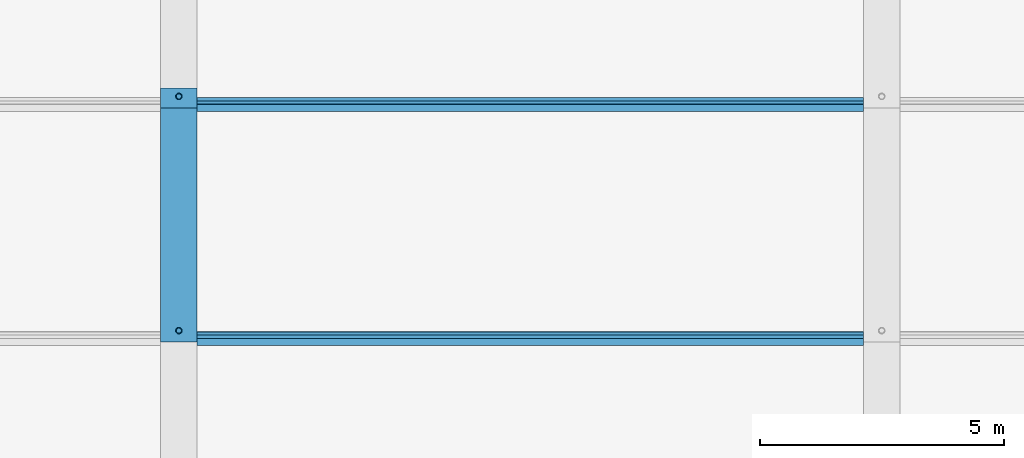
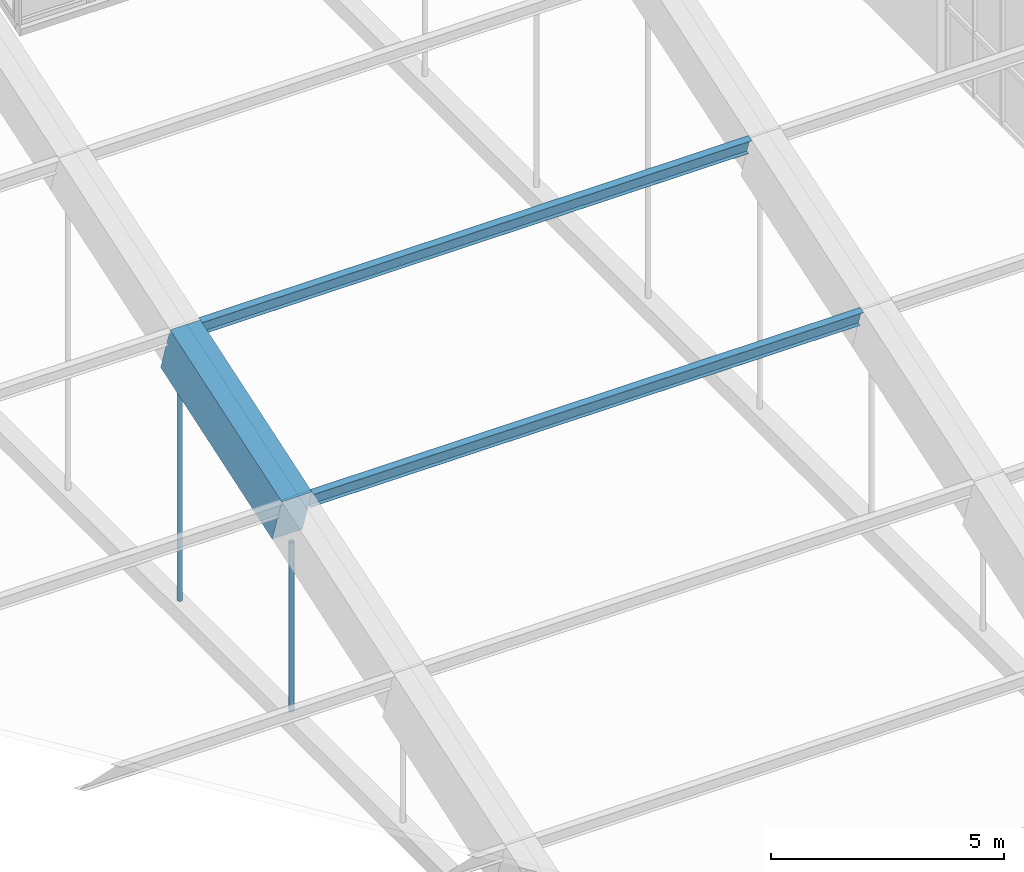
# One storey, part 24 of 149: 4 members, 1 beam.
"""IFC4 building model written with IfcOpenShell, lengths in metres."""

from ifc_helpers import new_model, si_unit, direction, frame, origin, origin_2d, place, context, subcontext, project, spatial, rectangle, hollow_circle, i_section, extrude, material, material_profile, profile_set, type_object, element, save


model = new_model("IFC4")

# Units and contexts
model_context = context("Model", 3, precision=1e-05, world=origin(), true_north=direction((0.0, 1.0)))
body_context = subcontext(model_context, "Body", "Model", "MODEL_VIEW")
ifc_project = project(units=[si_unit("LENGTHUNIT", "METRE"), si_unit("AREAUNIT", "SQUARE_METRE"), si_unit("VOLUMEUNIT", "CUBIC_METRE"), si_unit("PLANEANGLEUNIT", "RADIAN"), si_unit("MASSUNIT", "GRAM", prefix="KILO")], contexts=[model_context])

# Site, building, storey
site_placement = place(None, origin())
site = spatial("IfcSite", under=ifc_project, at=site_placement, CompositionType="ELEMENT")
building_placement = place(site_placement, origin())
building = spatial("IfcBuilding", under=site, at=building_placement, Name="Alderwick Market Hall", CompositionType="ELEMENT")
storey_placement = place(building_placement, frame((0.0, 0.0, 9.60009765625)))
storey = spatial("IfcBuildingStorey", under=building, at=storey_placement, Name="L01", CompositionType="ELEMENT", Elevation=9.60009765625)

# Beam
ifc_material_1 = material(Name="Concrete 5000 psi (f'c 35 MPa)", Category="concrete")
ifc_material_profile_1 = material_profile(ifc_material_1, rectangle(XDim=0.75, YDim=1.300048828125, at=origin_2d()), Name="RC 750x1300")
ifc_profile_set_1 = profile_set([ifc_material_profile_1], Name="Concrete 5000 psi (f'c 35 MPa)")
beam_type = type_object("IfcBeamType", Name="R Arch Rib Haunch 750x1300", PredefinedType="BEAM", material=ifc_profile_set_1)
beam_placement = place(storey_placement, frame((122.39990234375, 64.768310546875, 11.494873046875), z_axis=(0.0, 0.948692948114, 0.316198814353), x_axis=(-1.0, 0.0, 0.0)))
element("IfcBeam", 1, at=beam_placement, inside=storey, type_object=beam_type, Name="Arch rib 6 chord 4", PredefinedType="BEAM", context=body_context, shape_type="SweptSolid", body=[
    extrude(rectangle(XDim=0.75, YDim=1.300048828125, at=origin_2d()), origin(), (0.0, 0.0, 1.0), 5.0595703125),
])

# Members
ifc_material_2 = material(Name="Steel ASTM A500 Grade C", Category="steel")
ifc_material_profile_2 = material_profile(ifc_material_2, hollow_circle(Radius=0.0634765625, WallThickness=0.005859375, at=origin_2d()), Name="HSS5.000x0.250")
ifc_profile_set_2 = profile_set([ifc_material_profile_2], Name="Steel ASTM A500 Grade C")
member_type_1 = type_object("IfcMemberType", Name="R Hanger HSS5.000x0.250", PredefinedType="POST", material=ifc_profile_set_2)
member_1_placement = place(storey_placement, frame((122.39990234375, 64.800048828125, 6.35302734375), z_axis=(0.0, 0.0, 1.0), x_axis=(1.0, 0.0, 0.0)))
element("IfcMember", 2, at=member_1_placement, inside=storey, type_object=member_type_1, Name="Arch hanger 6.3", PredefinedType="POST", context=body_context, shape_type="SweptSolid", body=[
    extrude(hollow_circle(Radius=0.0634765625, WallThickness=0.005859375, at=origin_2d()), origin(), (0.0, 0.0, 1.0), 4.446044921875),
])
member_2_placement = place(storey_placement, frame((122.39990234375, 69.60009765625, 6.35302734375), z_axis=(0.0, 0.0, 1.0), x_axis=(1.0, 0.0, 0.0)))
element("IfcMember", 3, at=member_2_placement, inside=storey, type_object=member_type_1, Name="Arch hanger 6.4", PredefinedType="POST", context=body_context, shape_type="SweptSolid", body=[
    extrude(hollow_circle(Radius=0.0634765625, WallThickness=0.005859375, at=origin_2d()), origin(), (0.0, 0.0, 1.0), 6.0458984375),
])
ifc_material_3 = material(Name="Steel ASTM A992 Grade 50", Category="steel")
ifc_material_profile_3 = material_profile(ifc_material_3, i_section(OverallWidth=0.153076171875, OverallDepth=0.455078125, WebThickness=0.008056640625, FlangeThickness=0.01318359375, at=origin_2d()), Name="W18x40")
ifc_profile_set_3 = profile_set([ifc_material_profile_3], Name="Steel ASTM A992 Grade 50")
member_type_2 = type_object("IfcMemberType", Name="R Purlin W18x40", PredefinedType="PURLIN", material=ifc_profile_set_3)
for number, where, z_axis, x_axis, name in (
    (4, (122.77490234375, 64.63671875, 11.889892578125), (1.0, 0.0, 0.0), (0.0, 0.948683297073, 0.316227768949), "Roof purlin 4.6"),
    (5, (122.77490234375, 69.436767578125, 13.489990234375), (1.0, 0.0, 0.0), (0.0, 0.948683297073, 0.316227768949), "Roof purlin 5.6"),
):
    element("IfcMember", number, at=place(storey_placement, frame(where, z_axis=z_axis, x_axis=x_axis)), inside=storey, type_object=member_type_2, Name=name, PredefinedType="PURLIN", context=body_context, shape_type="SweptSolid", body=[
        extrude(i_section(OverallWidth=0.153076171875, OverallDepth=0.455078125, WebThickness=0.008056640625, FlangeThickness=0.01318359375, at=origin_2d()), origin(), (0.0, 0.0, 1.0), 13.650146484375),
    ])

save(model, "model.ifc")
